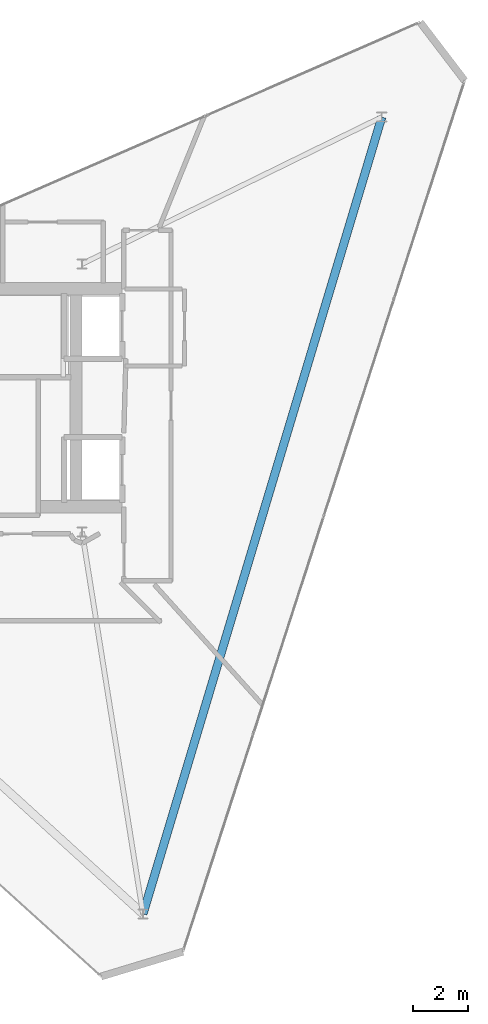
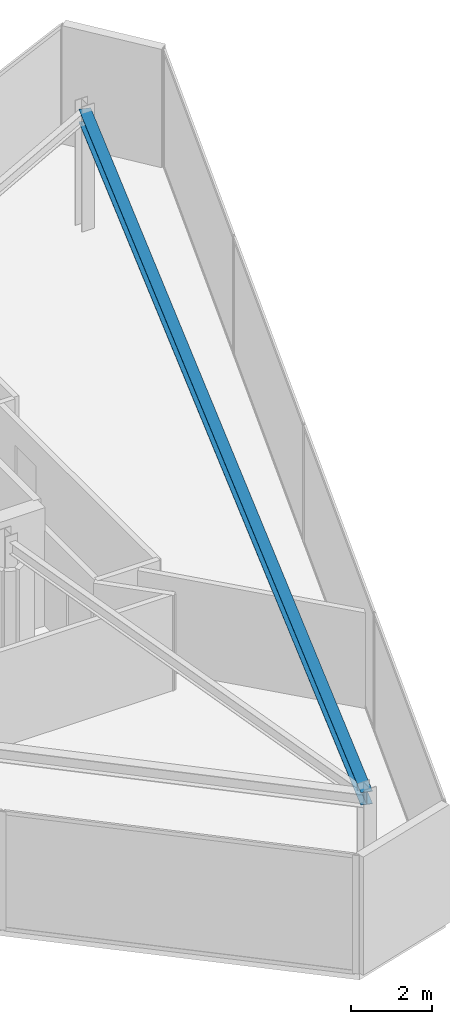
# One storey, part 8 of 14: 1 beam.
"""IFC4 building model written with IfcOpenShell, lengths in metres."""

from ifc_helpers import new_model, si_unit, direction, frame, origin, origin_2d, place, context, subcontext, project, spatial, i_section, extrude, material, material_profile, profile_set, type_object, element, save


model = new_model("IFC4")

# Units and contexts
model_context = context("Model", 3, precision=1e-05, world=origin(), true_north=direction((0.0, 1.0)))
body_context = subcontext(model_context, "Body", "Model", "MODEL_VIEW")
ifc_project = project(units=[si_unit("LENGTHUNIT", "METRE"), si_unit("AREAUNIT", "SQUARE_METRE"), si_unit("VOLUMEUNIT", "CUBIC_METRE"), si_unit("PLANEANGLEUNIT", "RADIAN"), si_unit("MASSUNIT", "GRAM", prefix="KILO")], contexts=[model_context])

# Site, building, storey
site_placement = place(None, origin())
site = spatial("IfcSite", under=ifc_project, at=site_placement, CompositionType="ELEMENT")
building_placement = place(site_placement, origin())
building = spatial("IfcBuilding", under=site, at=building_placement, Name="Qianvela Tower", CompositionType="ELEMENT")
storey_placement = place(building_placement, frame((0.0, 0.0, 363.800048828125)))
storey = spatial("IfcBuildingStorey", under=building, at=storey_placement, Name="L94", CompositionType="ELEMENT", Elevation=363.800048828125)

# Beam
ifc_material = material(Name="Steel Q355B", Category="steel")
ifc_material_profile = material_profile(ifc_material, i_section(OverallWidth=0.300048828125, OverallDepth=0.389892578125, WebThickness=0.010009765625, FlangeThickness=0.01611328125, at=origin_2d()), Name="HM390x300x10x16")
ifc_profile_set = profile_set([ifc_material_profile], Name="Steel Q355B")
beam_type = type_object("IfcBeamType", Name="BM-HM390-COLL", PredefinedType="BEAM", material=ifc_profile_set)
beam_placement = place(storey_placement, frame((49.248046875, 38.866943359375, 3.35302734375), z_axis=(-0.287106838651, -0.957898566237, 0.0), x_axis=(0.957898566237, -0.287106838651, 0.0)))
element("IfcBeam", 1, at=beam_placement, inside=storey, type_object=beam_type, Name="L94 Crown Perimeter Frame Girder 1", PredefinedType="BEAM", context=body_context, shape_type="SweptSolid", body=[
    extrude(i_section(OverallWidth=0.300048828125, OverallDepth=0.389892578125, WebThickness=0.010009765625, FlangeThickness=0.01611328125, at=origin_2d()), origin(), (0.0, 0.0, 1.0), 30.107421875),
])

save(model, "model.ifc")
